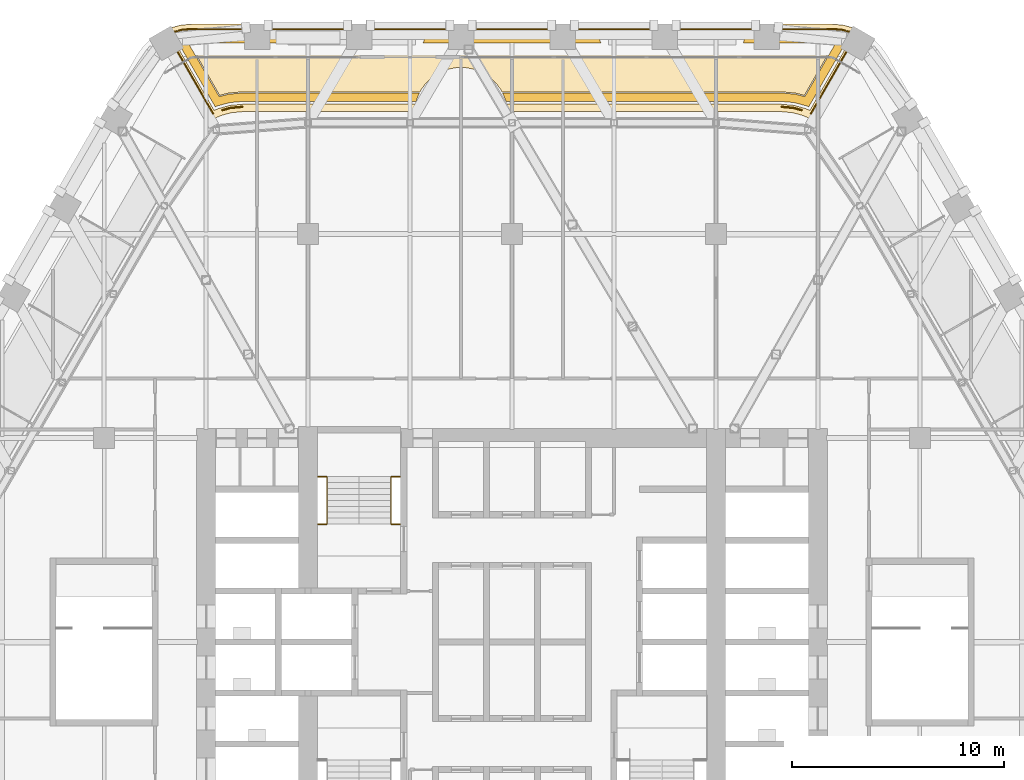
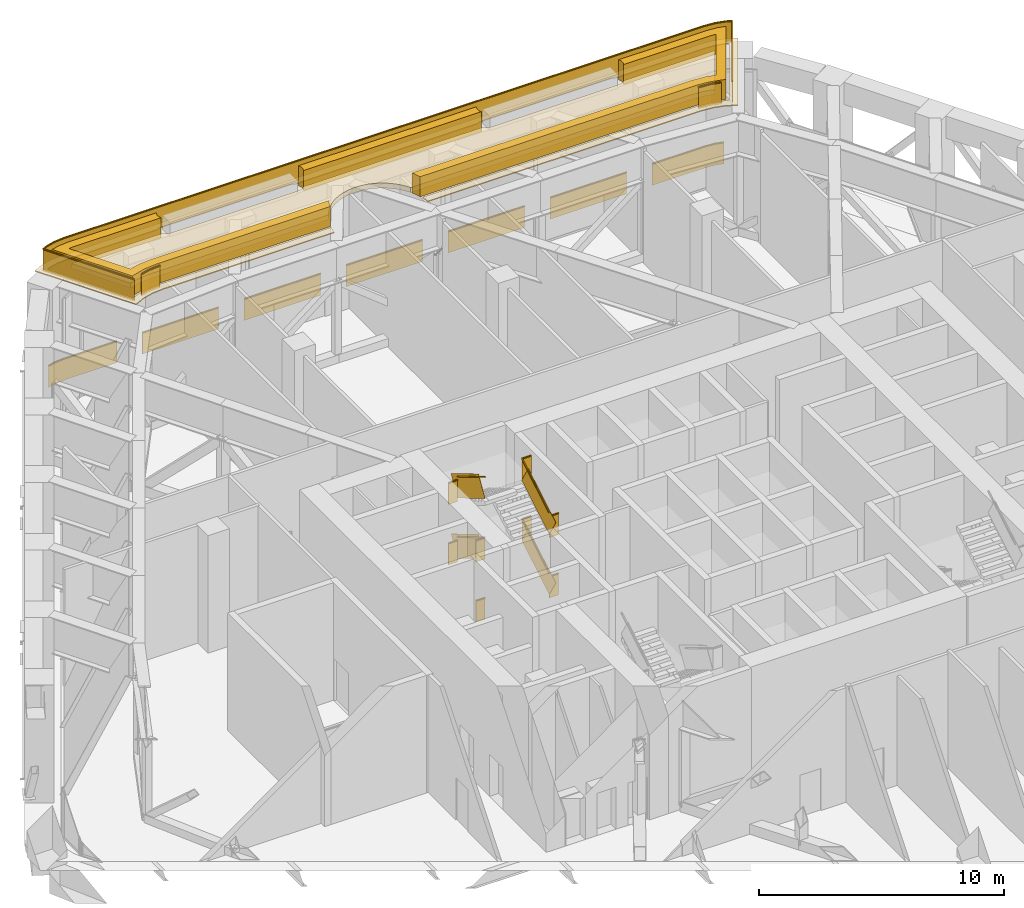
# One storey, part 27 of 27: 5 coverings, 4 railings.
"""IFC4 building model written with IfcOpenShell, lengths in metres."""

from ifc_helpers import new_model, si_unit, direction, frame, frame_2d, origin, origin_2d, place, context, subcontext, project, spatial, polyline, rectangle, outline, extrude, material, layer, layer_set, type_object, element, save


model = new_model("IFC4")

# Units and contexts
model_context = context("Model", 3, precision=1e-05, world=origin(), true_north=direction((0.0, 1.0)))
body_context = subcontext(model_context, "Body", "Model", "MODEL_VIEW")
ifc_project = project(units=[si_unit("LENGTHUNIT", "METRE"), si_unit("AREAUNIT", "SQUARE_METRE"), si_unit("VOLUMEUNIT", "CUBIC_METRE"), si_unit("PLANEANGLEUNIT", "RADIAN"), si_unit("MASSUNIT", "GRAM", prefix="KILO")], contexts=[model_context])

# Site, building, storey
site_placement = place(None, origin())
site = spatial("IfcSite", under=ifc_project, at=site_placement, CompositionType="ELEMENT")
building_placement = place(site_placement, origin())
building = spatial("IfcBuilding", under=site, at=building_placement, Name="Kolab Exchange Tower", CompositionType="ELEMENT")
storey_placement = place(building_placement, frame((0.0, 0.0, 127.39990234375)))
storey = spatial("IfcBuildingStorey", under=building, at=storey_placement, Name="L25", CompositionType="ELEMENT", Elevation=127.39990234375)

# Railings
ifc_material_1 = material(Name="Stainless steel 316", Category="steel")
railing_type_1 = type_object("IfcRailingType", Name="GUARD 1100", PredefinedType="GUARDRAIL", material=ifc_material_1)
railing_1_placement = place(storey_placement, frame((-9.14990234375, 5.550048828125, 0.0)))
element("IfcRailing", 1, at=railing_1_placement, inside=storey, type_object=railing_type_1, Name="Guard ST1", PredefinedType="GUARDRAIL", context=body_context, shape_type="SweptSolid", body=[
    extrude(rectangle(XDim=0.05, YDim=0.05, at=origin_2d()), frame((0.0, 0.0, 1.0751953125), z_axis=(1.0, 0.0, 0.0), x_axis=(0.0, 1.0, 0.0)), (0.0, 0.0, 1.0), 0.43994140625),
    extrude(rectangle(XDim=0.012, YDim=1.05009765625, at=frame_2d((0.0, 0.525146484375))), frame((0.0, 0.0, 0.0), z_axis=(1.0, 0.0, 0.0), x_axis=(0.0, 1.0, 0.0)), (0.0, 0.0, 1.0), 0.43994140625),
    extrude(rectangle(XDim=0.05, YDim=0.05, at=origin_2d()), frame((3.4599609375, 0.0, 1.0751953125), z_axis=(1.0, 0.0, 0.0), x_axis=(0.0, 1.0, 0.0)), (0.0, 0.0, 1.0), 0.43994140625),
    extrude(rectangle(XDim=0.012, YDim=1.05009765625, at=frame_2d((0.0, 0.525146484375))), frame((3.4599609375, 0.0, 0.0), z_axis=(1.0, 0.0, 0.0), x_axis=(0.0, 1.0, 0.0)), (0.0, 0.0, 1.0), 0.43994140625),
    extrude(rectangle(XDim=0.05, YDim=0.05, at=origin_2d()), frame((0.0, 2.239990234375, 2.5751953125), z_axis=(1.0, 0.0, 0.0), x_axis=(0.0, 1.0, 0.0)), (0.0, 0.0, 1.0), 0.43994140625),
    extrude(rectangle(XDim=0.012, YDim=1.05009765625, at=frame_2d((0.0, 0.525146484375))), frame((0.0, 2.239990234375, 1.5), z_axis=(1.0, 0.0, 0.0), x_axis=(0.0, 1.0, 0.0)), (0.0, 0.0, 1.0), 0.43994140625),
    extrude(rectangle(XDim=0.05, YDim=0.05, at=origin_2d()), frame((3.4599609375, 2.239990234375, 2.5751953125), z_axis=(1.0, 0.0, 0.0), x_axis=(0.0, 1.0, 0.0)), (0.0, 0.0, 1.0), 0.43994140625),
    extrude(rectangle(XDim=0.012, YDim=1.05009765625, at=frame_2d((0.0, 0.525146484375))), frame((3.4599609375, 2.239990234375, 1.5), z_axis=(1.0, 0.0, 0.0), x_axis=(0.0, 1.0, 0.0)), (0.0, 0.0, 1.0), 0.43994140625),
    extrude(rectangle(XDim=0.05, YDim=0.05, at=origin_2d()), frame((0.0, 0.0, 4.0751953125), z_axis=(1.0, 0.0, 0.0), x_axis=(0.0, 1.0, 0.0)), (0.0, 0.0, 1.0), 0.43994140625),
    extrude(rectangle(XDim=0.012, YDim=1.05009765625, at=frame_2d((0.0, 0.525146484375))), frame((0.0, 0.0, 3.0), z_axis=(1.0, 0.0, 0.0), x_axis=(0.0, 1.0, 0.0)), (0.0, 0.0, 1.0), 0.43994140625),
    extrude(rectangle(XDim=0.05, YDim=0.05, at=origin_2d()), frame((3.4599609375, 0.0, 4.0751953125), z_axis=(1.0, 0.0, 0.0), x_axis=(0.0, 1.0, 0.0)), (0.0, 0.0, 1.0), 0.43994140625),
    extrude(rectangle(XDim=0.012, YDim=1.05009765625, at=frame_2d((0.0, 0.525146484375))), frame((3.4599609375, 0.0, 3.0), z_axis=(1.0, 0.0, 0.0), x_axis=(0.0, 1.0, 0.0)), (0.0, 0.0, 1.0), 0.43994140625),
    extrude(rectangle(XDim=0.05, YDim=0.05, at=origin_2d()), frame((0.0, 2.239990234375, 5.5751953125), z_axis=(1.0, 0.0, 0.0), x_axis=(0.0, 1.0, 0.0)), (0.0, 0.0, 1.0), 0.43994140625),
    extrude(rectangle(XDim=0.012, YDim=1.05009765625, at=frame_2d((0.0, 0.525146484375))), frame((0.0, 2.239990234375, 4.5), z_axis=(1.0, 0.0, 0.0), x_axis=(0.0, 1.0, 0.0)), (0.0, 0.0, 1.0), 0.43994140625),
    extrude(rectangle(XDim=0.05, YDim=0.05, at=origin_2d()), frame((3.4599609375, 2.239990234375, 5.5751953125), z_axis=(1.0, 0.0, 0.0), x_axis=(0.0, 1.0, 0.0)), (0.0, 0.0, 1.0), 0.43994140625),
    extrude(rectangle(XDim=0.012, YDim=1.05009765625, at=frame_2d((0.0, 0.525146484375))), frame((3.4599609375, 2.239990234375, 4.5), z_axis=(1.0, 0.0, 0.0), x_axis=(0.0, 1.0, 0.0)), (0.0, 0.0, 1.0), 0.43994140625),
])
railing_2_placement = place(storey_placement, frame((-5.68994140625, 5.550048828125, 0.166748046875)))
element("IfcRailing", 2, at=railing_2_placement, inside=storey, type_object=railing_type_1, Name="Handrail guard ST1", PredefinedType="GUARDRAIL", context=body_context, shape_type="SweptSolid", body=[
    extrude(rectangle(XDim=0.05, YDim=0.05, at=origin_2d()), frame((0.0, 0.0, 1.0751953125), z_axis=(0.0, 0.859305625298, 0.511462454469), x_axis=(-1.0, 0.0, 0.0)), (0.0, 0.0, 1.0), 2.606689453125),
    extrude(rectangle(XDim=0.012, YDim=1.05009765625, at=frame_2d((0.0, 0.525146484375))), frame((0.0, 0.0, 0.0), z_axis=(0.0, 0.859305625298, 0.511462454469), x_axis=(-1.0, 0.0, 0.0)), (0.0, 0.0, 1.0), 2.606689453125),
    extrude(rectangle(XDim=0.05, YDim=0.05, at=origin_2d()), frame((-3.02001953125, 2.239990234375, 2.5751953125), z_axis=(0.0, -0.859305625298, 0.511462454469), x_axis=(1.0, 0.0, 0.0)), (0.0, 0.0, 1.0), 2.606689453125),
    extrude(rectangle(XDim=0.012, YDim=1.05009765625, at=frame_2d((0.0, 0.525146484375))), frame((-3.02001953125, 2.239990234375, 1.5), z_axis=(0.0, -0.859305625298, 0.511462454469), x_axis=(1.0, 0.0, 0.0)), (0.0, 0.0, 1.0), 2.606689453125),
    extrude(rectangle(XDim=0.05, YDim=0.05, at=origin_2d()), frame((0.0, 0.0, 4.0751953125), z_axis=(0.0, 0.859305625298, 0.511462454469), x_axis=(-1.0, 0.0, 0.0)), (0.0, 0.0, 1.0), 2.606689453125),
    extrude(rectangle(XDim=0.012, YDim=1.05009765625, at=frame_2d((0.0, 0.525146484375))), frame((0.0, 0.0, 3.0), z_axis=(0.0, 0.859305625298, 0.511462454469), x_axis=(-1.0, 0.0, 0.0)), (0.0, 0.0, 1.0), 2.606689453125),
    extrude(rectangle(XDim=0.05, YDim=0.05, at=origin_2d()), frame((-3.02001953125, 2.239990234375, 5.5751953125), z_axis=(0.0, -0.859305625298, 0.511462454469), x_axis=(1.0, 0.0, 0.0)), (0.0, 0.0, 1.0), 2.606689453125),
    extrude(rectangle(XDim=0.012, YDim=1.05009765625, at=frame_2d((0.0, 0.525146484375))), frame((-3.02001953125, 2.239990234375, 4.5), z_axis=(0.0, -0.859305625298, 0.511462454469), x_axis=(1.0, 0.0, 0.0)), (0.0, 0.0, 1.0), 2.606689453125),
])
ifc_material_2 = material(Name="Steel S235", Category="steel")
railing_type_2 = type_object("IfcRailingType", Name="GUARD 1100 GLASS BALUSTRADE AND STEEL TOP RAIL", PredefinedType="GUARDRAIL", material=ifc_material_2)
railing_3_placement = place(storey_placement, frame((15.89208984375, 28.7138671875, 0.0)))
element("IfcRailing", 3, at=railing_3_placement, inside=storey, type_object=railing_type_2, Name="Guard", PredefinedType="GUARDRAIL", context=body_context, shape_type="SweptSolid", body=[
    extrude(rectangle(XDim=0.05, YDim=0.05, at=origin_2d()), frame((0.0, 0.0, 1.0751953125), z_axis=(-0.966008746817, 0.258509382951, 0.0), x_axis=(-0.258509382951, -0.966008746817, 0.0)), (0.0, 0.0, 1.0), 0.35888671875),
    extrude(rectangle(XDim=0.012, YDim=1.05009765625, at=frame_2d((0.0, 0.525146484375))), frame((0.0, 0.0, 0.0), z_axis=(-0.966008746817, 0.258509382951, 0.0), x_axis=(-0.258509382951, -0.966008746817, 0.0)), (0.0, 0.0, 1.0), 0.35888671875),
    extrude(rectangle(XDim=0.05, YDim=0.05, at=origin_2d()), frame((-0.3466796875, 0.0927734375, 1.0751953125), z_axis=(-0.996200348447, 0.087091134757, 0.0), x_axis=(-0.087091134757, -0.996200348447, 0.0)), (0.0, 0.0, 1.0), 0.479248046875),
    extrude(rectangle(XDim=0.012, YDim=1.05009765625, at=frame_2d((0.0, 0.525146484375))), frame((-0.3466796875, 0.0927734375, 0.0), z_axis=(-0.996200348447, 0.087091134757, 0.0), x_axis=(-0.087091134757, -0.996200348447, 0.0)), (0.0, 0.0, 1.0), 0.479248046875),
    extrude(rectangle(XDim=0.05, YDim=0.05, at=origin_2d()), frame((-0.82421875, 0.134521484375, 1.0751953125), z_axis=(-1.0, 0.0, 0.0), x_axis=(0.0, -1.0, 0.0)), (0.0, 0.0, 1.0), 2.4677734375),
    extrude(rectangle(XDim=0.012, YDim=1.05009765625, at=frame_2d((0.0, 0.525146484375))), frame((-0.82421875, 0.134521484375, 0.0), z_axis=(-1.0, 0.0, 0.0), x_axis=(0.0, -1.0, 0.0)), (0.0, 0.0, 1.0), 2.4677734375),
    extrude(rectangle(XDim=0.05, YDim=0.05, at=origin_2d()), frame((-4.4921875, 0.134521484375, 1.0751953125), z_axis=(-1.0, 0.0, 0.0), x_axis=(0.0, -1.0, 0.0)), (0.0, 0.0, 1.0), 3.599853515625),
    extrude(rectangle(XDim=0.012, YDim=1.05009765625, at=frame_2d((0.0, 0.525146484375))), frame((-4.4921875, 0.134521484375, 0.0), z_axis=(-1.0, 0.0, 0.0), x_axis=(0.0, -1.0, 0.0)), (0.0, 0.0, 1.0), 3.599853515625),
    extrude(rectangle(XDim=0.05, YDim=0.05, at=origin_2d()), frame((-9.2919921875, 0.134521484375, 1.0751953125), z_axis=(-1.0, 0.0, 0.0), x_axis=(0.0, -1.0, 0.0)), (0.0, 0.0, 1.0), 3.60009765625),
    extrude(rectangle(XDim=0.012, YDim=1.05009765625, at=frame_2d((0.0, 0.525146484375))), frame((-9.2919921875, 0.134521484375, 0.0), z_axis=(-1.0, 0.0, 0.0), x_axis=(0.0, -1.0, 0.0)), (0.0, 0.0, 1.0), 3.60009765625),
    extrude(rectangle(XDim=0.05, YDim=0.05, at=origin_2d()), frame((-14.092041015625, 0.134521484375, 1.0751953125), z_axis=(-1.0, 0.0, 0.0), x_axis=(0.0, -1.0, 0.0)), (0.0, 0.0, 1.0), 3.60009765625),
    extrude(rectangle(XDim=0.012, YDim=1.05009765625, at=frame_2d((0.0, 0.525146484375))), frame((-14.092041015625, 0.134521484375, 0.0), z_axis=(-1.0, 0.0, 0.0), x_axis=(0.0, -1.0, 0.0)), (0.0, 0.0, 1.0), 3.60009765625),
    extrude(rectangle(XDim=0.05, YDim=0.05, at=origin_2d()), frame((-18.89208984375, 0.134521484375, 1.0751953125), z_axis=(-1.0, 0.0, 0.0), x_axis=(0.0, -1.0, 0.0)), (0.0, 0.0, 1.0), 3.60009765625),
    extrude(rectangle(XDim=0.012, YDim=1.05009765625, at=frame_2d((0.0, 0.525146484375))), frame((-18.89208984375, 0.134521484375, 0.0), z_axis=(-1.0, 0.0, 0.0), x_axis=(0.0, -1.0, 0.0)), (0.0, 0.0, 1.0), 3.60009765625),
    extrude(rectangle(XDim=0.05, YDim=0.05, at=origin_2d()), frame((-23.692138671875, 0.134521484375, 1.0751953125), z_axis=(-1.0, 0.0, 0.0), x_axis=(0.0, -1.0, 0.0)), (0.0, 0.0, 1.0), 3.599853515625),
    extrude(rectangle(XDim=0.012, YDim=1.05009765625, at=frame_2d((0.0, 0.525146484375))), frame((-23.692138671875, 0.134521484375, 0.0), z_axis=(-1.0, 0.0, 0.0), x_axis=(0.0, -1.0, 0.0)), (0.0, 0.0, 1.0), 3.599853515625),
    extrude(rectangle(XDim=0.05, YDim=0.05, at=origin_2d()), frame((-28.4921875, 0.134521484375, 1.0751953125), z_axis=(-1.0, 0.0, 0.0), x_axis=(0.0, -1.0, 0.0)), (0.0, 0.0, 1.0), 2.4677734375),
    extrude(rectangle(XDim=0.012, YDim=1.05009765625, at=frame_2d((0.0, 0.525146484375))), frame((-28.4921875, 0.134521484375, 0.0), z_axis=(-1.0, 0.0, 0.0), x_axis=(0.0, -1.0, 0.0)), (0.0, 0.0, 1.0), 2.4677734375),
    extrude(rectangle(XDim=0.05, YDim=0.05, at=origin_2d()), frame((-30.9599609375, 0.134521484375, 1.0751953125), z_axis=(-0.996200348447, -0.087091134757, 0.0), x_axis=(0.087091134757, -0.996200348447, 0.0)), (0.0, 0.0, 1.0), 0.479248046875),
    extrude(rectangle(XDim=0.012, YDim=1.05009765625, at=frame_2d((0.0, 0.525146484375))), frame((-30.9599609375, 0.134521484375, 0.0), z_axis=(-0.996200348447, -0.087091134757, 0.0), x_axis=(0.087091134757, -0.996200348447, 0.0)), (0.0, 0.0, 1.0), 0.479248046875),
    extrude(rectangle(XDim=0.05, YDim=0.05, at=origin_2d()), frame((-31.4375, 0.0927734375, 1.0751953125), z_axis=(-0.966008746817, -0.258509382951, 0.0), x_axis=(0.258509382951, -0.966008746817, 0.0)), (0.0, 0.0, 1.0), 0.35888671875),
    extrude(rectangle(XDim=0.012, YDim=1.05009765625, at=frame_2d((0.0, 0.525146484375))), frame((-31.4375, 0.0927734375, 0.0), z_axis=(-0.966008746817, -0.258509382951, 0.0), x_axis=(0.258509382951, -0.966008746817, 0.0)), (0.0, 0.0, 1.0), 0.35888671875),
])
railing_4_placement = place(storey_placement, frame((-16.215087890625, 28.585205078125, 6.0)))
element("IfcRailing", 4, at=railing_4_placement, inside=storey, type_object=railing_type_2, Name="Ledge guard", PredefinedType="GUARDRAIL", context=body_context, shape_type="SweptSolid", body=[
    extrude(rectangle(XDim=0.05, YDim=0.05, at=origin_2d()), frame((29.863525390625, -3.553466796875, 1.0751953125), z_axis=(-0.966008746817, 0.258509382951, 0.0), x_axis=(-0.258509382951, -0.966008746817, 0.0)), (0.0, 0.0, 1.0), 0.4306640625),
    extrude(rectangle(XDim=0.012, YDim=1.05009765625, at=frame_2d((0.0, 0.525146484375))), frame((29.863525390625, -3.553466796875, 0.0), z_axis=(-0.966008746817, 0.258509382951, 0.0), x_axis=(-0.258509382951, -0.966008746817, 0.0)), (0.0, 0.0, 1.0), 0.4306640625),
    extrude(rectangle(XDim=0.05, YDim=0.05, at=origin_2d()), frame((29.447509765625, -3.442138671875, 1.0751953125), z_axis=(-0.996316204196, 0.08575559024, 0.0), x_axis=(-0.08575559024, -0.996316204196, 0.0)), (0.0, 0.0, 1.0), 0.566650390625),
    extrude(rectangle(XDim=0.012, YDim=1.05009765625, at=frame_2d((0.0, 0.525146484375))), frame((29.447509765625, -3.442138671875, 0.0), z_axis=(-0.996316204196, 0.08575559024, 0.0), x_axis=(-0.08575559024, -0.996316204196, 0.0)), (0.0, 0.0, 1.0), 0.566650390625),
    extrude(rectangle(XDim=0.05, YDim=0.05, at=origin_2d()), frame((3.547119140625, -3.3935546875, 1.0751953125), z_axis=(-0.996316204196, -0.08575559024, 0.0), x_axis=(0.08575559024, -0.996316204196, 0.0)), (0.0, 0.0, 1.0), 0.566650390625),
    extrude(rectangle(XDim=0.012, YDim=1.05009765625, at=frame_2d((0.0, 0.525146484375))), frame((3.547119140625, -3.3935546875, 0.0), z_axis=(-0.996316204196, -0.08575559024, 0.0), x_axis=(0.08575559024, -0.996316204196, 0.0)), (0.0, 0.0, 1.0), 0.566650390625),
    extrude(rectangle(XDim=0.05, YDim=0.05, at=origin_2d()), frame((2.982666015625, -3.442138671875, 1.0751953125), z_axis=(-0.966008746817, -0.258509382951, 0.0), x_axis=(0.258509382951, -0.966008746817, 0.0)), (0.0, 0.0, 1.0), 0.4306640625),
    extrude(rectangle(XDim=0.012, YDim=1.05009765625, at=frame_2d((0.0, 0.525146484375))), frame((2.982666015625, -3.442138671875, 0.0), z_axis=(-0.966008746817, -0.258509382951, 0.0), x_axis=(0.258509382951, -0.966008746817, 0.0)), (0.0, 0.0, 1.0), 0.4306640625),
    extrude(rectangle(XDim=0.05, YDim=0.05, at=origin_2d()), frame((2.149169921875, -3.72216796875, 1.0751953125), z_axis=(-0.500030579029, 0.866007748254, 0.0), x_axis=(-0.866007748254, -0.500030579029, 0.0)), (0.0, 0.0, 1.0), 4.298095703125),
    extrude(rectangle(XDim=0.012, YDim=1.05009765625, at=frame_2d((0.0, 0.525146484375))), frame((2.149169921875, -3.72216796875, 0.0), z_axis=(-0.500030579029, 0.866007748254, 0.0), x_axis=(-0.866007748254, -0.500030579029, 0.0)), (0.0, 0.0, 1.0), 4.298095703125),
    extrude(rectangle(XDim=0.05, YDim=0.05, at=origin_2d()), frame((0.0, 0.0, 1.0751953125), z_axis=(0.90648331426, 0.422241638128, 0.0), x_axis=(-0.422241638128, 0.90648331426, 0.0)), (0.0, 0.0, 1.0), 0.228271484375),
    extrude(rectangle(XDim=0.012, YDim=1.05009765625, at=frame_2d((0.0, 0.525146484375))), frame((0.0, 0.0, 0.0), z_axis=(0.90648331426, 0.422241638128, 0.0), x_axis=(-0.422241638128, 0.90648331426, 0.0)), (0.0, 0.0, 1.0), 0.228271484375),
    extrude(rectangle(XDim=0.05, YDim=0.05, at=origin_2d()), frame((0.20703125, 0.096435546875, 1.0751953125), z_axis=(0.965895711288, 0.258931409675, 0.0), x_axis=(-0.258931409675, 0.965895711288, 0.0)), (0.0, 0.0, 1.0), 0.47900390625),
    extrude(rectangle(XDim=0.012, YDim=1.05009765625, at=frame_2d((0.0, 0.525146484375))), frame((0.20703125, 0.096435546875, 0.0), z_axis=(0.965895711288, 0.258931409675, 0.0), x_axis=(-0.258931409675, 0.965895711288, 0.0)), (0.0, 0.0, 1.0), 0.47900390625),
    extrude(rectangle(XDim=0.05, YDim=0.05, at=origin_2d()), frame((0.669677734375, 0.220458984375, 1.0751953125), z_axis=(0.996193717496, 0.087166950281, 0.0), x_axis=(-0.087166950281, 0.996193717496, 0.0)), (0.0, 0.0, 1.0), 0.490234375),
    extrude(rectangle(XDim=0.012, YDim=1.05009765625, at=frame_2d((0.0, 0.525146484375))), frame((0.669677734375, 0.220458984375, 0.0), z_axis=(0.996193717496, 0.087166950281, 0.0), x_axis=(-0.087166950281, 0.996193717496, 0.0)), (0.0, 0.0, 1.0), 0.490234375),
    extrude(rectangle(XDim=0.05, YDim=0.05, at=origin_2d()), frame((1.157958984375, 0.26318359375, 1.0751953125), z_axis=(1.0, 0.0, 0.0), x_axis=(0.0, 1.0, 0.0)), (0.0, 0.0, 1.0), 30.1142578125),
    extrude(rectangle(XDim=0.012, YDim=1.05009765625, at=frame_2d((0.0, 0.525146484375))), frame((1.157958984375, 0.26318359375, 0.0), z_axis=(1.0, 0.0, 0.0), x_axis=(0.0, 1.0, 0.0)), (0.0, 0.0, 1.0), 30.1142578125),
    extrude(rectangle(XDim=0.05, YDim=0.05, at=origin_2d()), frame((31.272216796875, 0.26318359375, 1.0751953125), z_axis=(0.996193717496, -0.087166950281, 0.0), x_axis=(0.087166950281, 0.996193717496, 0.0)), (0.0, 0.0, 1.0), 0.490234375),
    extrude(rectangle(XDim=0.012, YDim=1.05009765625, at=frame_2d((0.0, 0.525146484375))), frame((31.272216796875, 0.26318359375, 0.0), z_axis=(0.996193717496, -0.087166950281, 0.0), x_axis=(0.087166950281, 0.996193717496, 0.0)), (0.0, 0.0, 1.0), 0.490234375),
    extrude(rectangle(XDim=0.05, YDim=0.05, at=origin_2d()), frame((31.760498046875, 0.220458984375, 1.0751953125), z_axis=(0.965895711288, -0.258931409675, 0.0), x_axis=(0.258931409675, 0.965895711288, 0.0)), (0.0, 0.0, 1.0), 0.47900390625),
    extrude(rectangle(XDim=0.012, YDim=1.05009765625, at=frame_2d((0.0, 0.525146484375))), frame((31.760498046875, 0.220458984375, 0.0), z_axis=(0.965895711288, -0.258931409675, 0.0), x_axis=(0.258931409675, 0.965895711288, 0.0)), (0.0, 0.0, 1.0), 0.47900390625),
    extrude(rectangle(XDim=0.05, YDim=0.05, at=origin_2d()), frame((32.22314453125, 0.096435546875, 1.0751953125), z_axis=(0.90648331426, -0.422241638128, 0.0), x_axis=(0.422241638128, 0.90648331426, 0.0)), (0.0, 0.0, 1.0), 0.228271484375),
    extrude(rectangle(XDim=0.012, YDim=1.05009765625, at=frame_2d((0.0, 0.525146484375))), frame((32.22314453125, 0.096435546875, 0.0), z_axis=(0.90648331426, -0.422241638128, 0.0), x_axis=(0.422241638128, 0.90648331426, 0.0)), (0.0, 0.0, 1.0), 0.228271484375),
    extrude(rectangle(XDim=0.05, YDim=0.05, at=origin_2d()), frame((32.43017578125, 0.0, 1.0751953125), z_axis=(-0.500030579029, -0.866007748254, 0.0), x_axis=(0.866007748254, -0.500030579029, 0.0)), (0.0, 0.0, 1.0), 4.298095703125),
    extrude(rectangle(XDim=0.012, YDim=1.05009765625, at=frame_2d((0.0, 0.525146484375))), frame((32.43017578125, 0.0, 0.0), z_axis=(-0.500030579029, -0.866007748254, 0.0), x_axis=(0.866007748254, -0.500030579029, 0.0)), (0.0, 0.0, 1.0), 4.298095703125),
])

# Coverings
ifc_material_3 = material(Name="Planting soil and turf", Category="soil")
ifc_layer_1 = layer(ifc_material_3, 0.25)
ifc_layer_set_1 = layer_set([ifc_layer_1], Name="Planting soil and turf")
covering_type_1 = type_object("IfcCoveringType", Name="PLANTING SOIL AND TURF 250", PredefinedType="USERDEFINED", material=ifc_layer_set_1)
covering_1_placement = place(storey_placement, frame((0.0, 0.0, 6.0)))
element("IfcCovering", 5, at=covering_1_placement, inside=storey, type_object=covering_type_1, Name="Planting soil and turf", ObjectType="PLANTING", PredefinedType="USERDEFINED", context=body_context, shape_type="SweptSolid", body=[
    extrude(outline(polyline([(-15.0263671875, 28.1484375), (-10.845947265625, 28.1484375), (-10.84326171875, 28.144775390625), (-10.81689453125, 28.11572265625), (-10.787841796875, 28.08935546875), (-10.756103515625, 28.06591796875), (-10.722412109375, 28.045654296875), (-10.68701171875, 28.02880859375), (-10.650146484375, 28.015625), (-10.612060546875, 28.006103515625), (-10.5732421875, 28.00048828125), (-10.533935546875, 27.99853515625), (-4.533935546875, 27.99853515625), (-4.494873046875, 28.00048828125), (-4.4560546875, 28.006103515625), (-4.41796875, 28.015625), (-4.380859375, 28.02880859375), (-4.345458984375, 28.045654296875), (-4.311767578125, 28.06591796875), (-4.2802734375, 28.08935546875), (-4.251220703125, 28.11572265625), (-4.224853515625, 28.144775390625), (-4.221923828125, 28.1484375), (4.221923828125, 28.1484375), (4.224853515625, 28.144775390625), (4.251220703125, 28.11572265625), (4.2802734375, 28.08935546875), (4.311767578125, 28.06591796875), (4.345458984375, 28.045654296875), (4.380859375, 28.02880859375), (4.41796875, 28.015625), (4.4560546875, 28.006103515625), (4.494873046875, 28.00048828125), (4.533935546875, 27.99853515625), (10.533935546875, 27.99853515625), (10.5732421875, 28.00048828125), (10.612060546875, 28.006103515625), (10.650146484375, 28.015625), (10.68701171875, 28.02880859375), (10.722412109375, 28.045654296875), (10.756103515625, 28.06591796875), (10.787841796875, 28.08935546875), (10.81689453125, 28.11572265625), (10.84326171875, 28.144775390625), (10.845947265625, 28.1484375), (15.0263671875, 28.1484375), (15.1484375, 28.1376953125), (13.756591796875, 25.727294921875), (13.3544921875, 25.835205078125), (12.70947265625, 25.8916015625), (-0.467529296875, 25.8916015625), (-0.57080078125, 26.063720703125), (-0.699462890625, 26.2373046875), (-0.844482421875, 26.397216796875), (-1.00439453125, 26.542236328125), (-1.177734375, 26.670654296875), (-1.363037109375, 26.78173828125), (-1.55810546875, 26.8740234375), (-1.761474609375, 26.94677734375), (-1.970703125, 26.999267578125), (-2.184326171875, 27.031005859375), (-2.39990234375, 27.04150390625), (-2.61572265625, 27.031005859375), (-2.8291015625, 26.999267578125), (-3.03857421875, 26.94677734375), (-3.241943359375, 26.8740234375), (-3.43701171875, 26.78173828125), (-3.622314453125, 26.670654296875), (-3.795654296875, 26.542236328125), (-3.95556640625, 26.397216796875), (-4.1005859375, 26.2373046875), (-4.229248046875, 26.063720703125), (-4.33251953125, 25.8916015625), (-12.70947265625, 25.8916015625), (-13.3544921875, 25.835205078125), (-13.756591796875, 25.727294921875), (-15.1484375, 28.1376953125), (-15.0263671875, 28.1484375)])), origin(), (0.0, 0.0, 1.0), 0.25),
])
ifc_material_4 = material(Name="Limestone coping", Category="masonry")
ifc_layer_2 = layer(ifc_material_4, 0.050048828125)
ifc_layer_set_2 = layer_set([ifc_layer_2], Name="Limestone coping")
covering_type_2 = type_object("IfcCoveringType", Name="TERRACE EDGE BAND LIMESTONE 50", PredefinedType="CLADDING", material=ifc_layer_set_2)
covering_2_placement = place(storey_placement, frame((0.0, 0.0, 6.0)))
element("IfcCovering", 6, at=covering_2_placement, inside=storey, type_object=covering_type_2, Name="Terrace edge band", PredefinedType="CLADDING", context=body_context, shape_type="SweptSolid", body=[
    extrude(outline(polyline([(-15.58544921875, 29.033203125), (-15.067138671875, 29.078369140625), (15.067138671875, 29.078369140625), (15.58544921875, 29.033203125), (16.087158203125, 28.898681640625), (16.539794921875, 28.687744140625), (14.159912109375, 24.5654296875), (13.700927734375, 24.779541015625), (13.1923828125, 24.915771484375), (12.668701171875, 24.96142578125), (-0.205810546875, 24.96142578125), (-0.210693359375, 25.05712890625), (-0.2421875, 25.270751953125), (-0.25244140625, 25.3115234375), (12.68408203125, 25.3115234375), (13.25341796875, 25.26171875), (13.821044921875, 25.109619140625), (14.01708984375, 25.018310546875), (16.045654296875, 28.53173828125), (15.967041015625, 28.568603515625), (15.5244140625, 28.68701171875), (15.0517578125, 28.728515625), (10.759765625, 28.728515625), (10.756103515625, 28.73095703125), (10.722412109375, 28.751220703125), (10.68701171875, 28.76806640625), (10.650146484375, 28.78125), (10.612060546875, 28.790771484375), (10.5732421875, 28.796630859375), (10.533935546875, 28.79833984375), (4.533935546875, 28.79833984375), (4.494873046875, 28.796630859375), (4.4560546875, 28.790771484375), (4.41796875, 28.78125), (4.380859375, 28.76806640625), (4.345458984375, 28.751220703125), (4.311767578125, 28.73095703125), (4.308349609375, 28.728515625), (-4.308349609375, 28.728515625), (-4.311767578125, 28.73095703125), (-4.345458984375, 28.751220703125), (-4.380859375, 28.76806640625), (-4.41796875, 28.78125), (-4.4560546875, 28.790771484375), (-4.494873046875, 28.796630859375), (-4.533935546875, 28.79833984375), (-10.533935546875, 28.79833984375), (-10.5732421875, 28.796630859375), (-10.612060546875, 28.790771484375), (-10.650146484375, 28.78125), (-10.68701171875, 28.76806640625), (-10.722412109375, 28.751220703125), (-10.756103515625, 28.73095703125), (-10.759765625, 28.728515625), (-15.0517578125, 28.728515625), (-15.5244140625, 28.68701171875), (-15.967041015625, 28.568603515625), (-16.045654296875, 28.53173828125), (-14.01708984375, 25.018310546875), (-13.821044921875, 25.109619140625), (-13.25341796875, 25.26171875), (-12.68408203125, 25.3115234375), (-4.547607421875, 25.3115234375), (-4.5576171875, 25.270751953125), (-4.58935546875, 25.05712890625), (-4.593994140625, 24.96142578125), (-12.668701171875, 24.96142578125), (-13.1923828125, 24.915771484375), (-13.700927734375, 24.779541015625), (-14.159912109375, 24.5654296875), (-16.539794921875, 28.687744140625), (-16.087158203125, 28.898681640625), (-15.58544921875, 29.033203125)])), origin(), (0.0, 0.0, 1.0), 0.050048828125),
])
ifc_material_5 = material(Name="Terrace hedge planting", Category="soil")
ifc_layer_3 = layer(ifc_material_5, 1.0)
ifc_layer_set_3 = layer_set([ifc_layer_3], Name="Terrace hedge planting")
covering_type_3 = type_object("IfcCoveringType", Name="TERRACE HEDGE 1000 X 400", PredefinedType="USERDEFINED", material=ifc_layer_set_3)
covering_3_placement = place(storey_placement, frame((0.0, 0.0, 6.0)))
element("IfcCovering", 7, at=covering_3_placement, inside=storey, type_object=covering_type_3, Name="Terrace hedge", ObjectType="PLANTING", PredefinedType="USERDEFINED", context=body_context, shape_type="SweptSolid", body=[
    extrude(outline(polyline([(-15.046142578125, 28.598388671875), (-10.8798828125, 28.598388671875), (-10.88671875, 28.5869140625), (-10.903564453125, 28.551513671875), (-10.916748046875, 28.5146484375), (-10.92626953125, 28.4765625), (-10.93212890625, 28.437744140625), (-10.93408203125, 28.3984375), (-10.93212890625, 28.359130859375), (-10.92626953125, 28.3203125), (-10.916748046875, 28.2822265625), (-10.903564453125, 28.245361328125), (-10.88671875, 28.2099609375), (-10.8798828125, 28.198486328125), (-15.028564453125, 28.198486328125), (-15.23095703125, 28.1806640625), (-13.78076171875, 25.669189453125), (-13.345703125, 25.78564453125), (-12.707275390625, 25.841552734375), (-4.357666015625, 25.841552734375), (-4.4326171875, 25.683349609375), (-4.50537109375, 25.480224609375), (-4.514892578125, 25.441650390625), (-12.689697265625, 25.441650390625), (-13.276123046875, 25.39013671875), (-13.86572265625, 25.232177734375), (-13.964111328125, 25.186279296875), (-15.856201171875, 28.463623046875), (-15.501708984375, 28.55859375), (-15.046142578125, 28.598388671875)])), origin(), (0.0, 0.0, 1.0), 1.0),
])
covering_4_placement = place(storey_placement, frame((0.0, 0.0, 6.0)))
element("IfcCovering", 8, at=covering_4_placement, inside=storey, type_object=covering_type_3, Name="Terrace hedge", ObjectType="PLANTING", PredefinedType="USERDEFINED", context=body_context, shape_type="SweptSolid", body=[
    extrude(outline(polyline([(4.18798828125, 28.598388671875), (4.18115234375, 28.5869140625), (4.164306640625, 28.551513671875), (4.151123046875, 28.5146484375), (4.1416015625, 28.4765625), (4.135986328125, 28.437744140625), (4.134033203125, 28.3984375), (4.135986328125, 28.359130859375), (4.1416015625, 28.3203125), (4.151123046875, 28.2822265625), (4.164306640625, 28.245361328125), (4.18115234375, 28.2099609375), (4.18798828125, 28.198486328125), (-4.18798828125, 28.198486328125), (-4.18115234375, 28.2099609375), (-4.164306640625, 28.245361328125), (-4.151123046875, 28.2822265625), (-4.1416015625, 28.3203125), (-4.135986328125, 28.359130859375), (-4.134033203125, 28.3984375), (-4.135986328125, 28.437744140625), (-4.1416015625, 28.4765625), (-4.151123046875, 28.5146484375), (-4.164306640625, 28.551513671875), (-4.18115234375, 28.5869140625), (-4.18798828125, 28.598388671875), (4.18798828125, 28.598388671875)])), origin(), (0.0, 0.0, 1.0), 1.0),
])
covering_5_placement = place(storey_placement, frame((0.0, 0.0, 6.0)))
element("IfcCovering", 9, at=covering_5_placement, inside=storey, type_object=covering_type_3, Name="Terrace hedge", ObjectType="PLANTING", PredefinedType="USERDEFINED", context=body_context, shape_type="SweptSolid", body=[
    extrude(outline(polyline([(15.046142578125, 28.598388671875), (15.501708984375, 28.55859375), (15.856201171875, 28.463623046875), (13.964111328125, 25.186279296875), (13.86572265625, 25.232177734375), (13.276123046875, 25.39013671875), (12.689697265625, 25.441650390625), (-0.28515625, 25.441650390625), (-0.294677734375, 25.480224609375), (-0.367431640625, 25.683349609375), (-0.442138671875, 25.841552734375), (12.707275390625, 25.841552734375), (13.345703125, 25.78564453125), (13.78076171875, 25.669189453125), (15.23095703125, 28.1806640625), (15.028564453125, 28.198486328125), (10.8798828125, 28.198486328125), (10.88671875, 28.2099609375), (10.903564453125, 28.245361328125), (10.916748046875, 28.2822265625), (10.92626953125, 28.3203125), (10.93212890625, 28.359130859375), (10.93408203125, 28.3984375), (10.93212890625, 28.437744140625), (10.92626953125, 28.4765625), (10.916748046875, 28.5146484375), (10.903564453125, 28.551513671875), (10.88671875, 28.5869140625), (10.8798828125, 28.598388671875), (15.046142578125, 28.598388671875)])), origin(), (0.0, 0.0, 1.0), 1.0),
])

save(model, "model.ifc")
